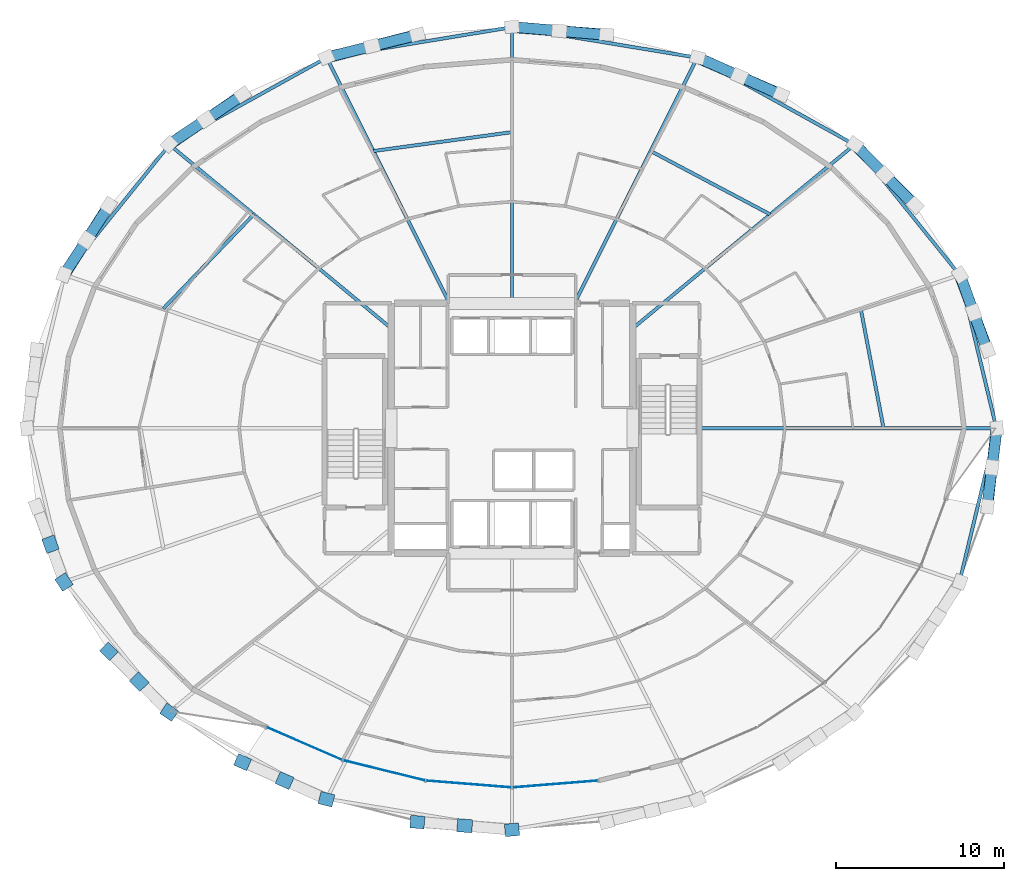
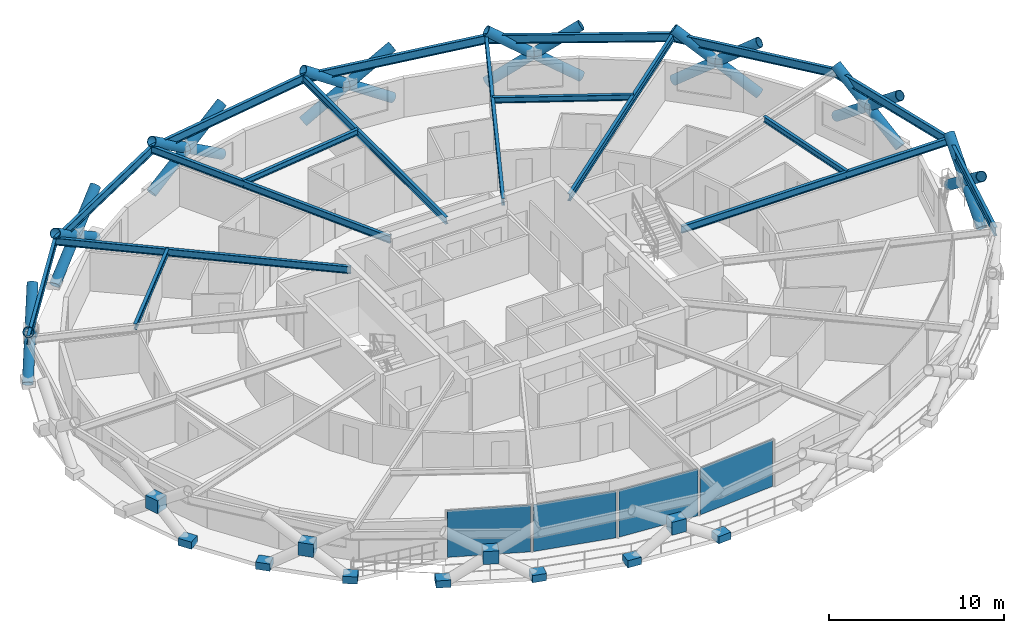
# One storey, part 12 of 21: 24 members, 18 beams, 15 plates, 1 element without a shape of its own.
"""IFC4 building model written with IfcOpenShell, lengths in metres."""

from ifc_helpers import new_model, si_unit, direction, frame, origin, origin_2d, place, context, subcontext, project, spatial, rectangle, hollow_circle, i_section, extrude, material, layer, layer_set, material_profile, profile_set, type_object, element, aggregate, save


model = new_model("IFC4")

# Units and contexts
model_context = context("Model", 3, precision=1e-05, world=origin(), true_north=direction((0.0, 1.0)))
body_context = subcontext(model_context, "Body", "Model", "MODEL_VIEW")
ifc_project = project(units=[si_unit("LENGTHUNIT", "METRE"), si_unit("AREAUNIT", "SQUARE_METRE"), si_unit("VOLUMEUNIT", "CUBIC_METRE"), si_unit("PLANEANGLEUNIT", "RADIAN"), si_unit("MASSUNIT", "GRAM", prefix="KILO")], contexts=[model_context])

# Site, building, storey
site_placement = place(None, origin())
site = spatial("IfcSite", under=ifc_project, at=site_placement, CompositionType="ELEMENT")
building_placement = place(site_placement, origin())
building = spatial("IfcBuilding", under=site, at=building_placement, Name="Veldorina Hangang Commons", CompositionType="ELEMENT")
storey_placement = place(building_placement, frame((0.0, 0.0, 91.60009765625)))
storey = spatial("IfcBuildingStorey", under=building, at=storey_placement, Name="L23", CompositionType="ELEMENT", Elevation=91.60009765625)

# Beams
ifc_material_1 = material(Name="Steel SM420-TMC", Category="steel")
ifc_material_profile_1 = material_profile(ifc_material_1, i_section(OverallWidth=0.199951171875, OverallDepth=0.5, WebThickness=0.010009765625, FlangeThickness=0.01611328125, FilletRadius=0.01611328125, at=origin_2d()), Name="H-500x200x10x16")
ifc_profile_set_1 = profile_set([ifc_material_profile_1], Name="Steel SM420-TMC")
beam_type_1 = type_object("IfcBeamType", Name="BM-FG500", PredefinedType="BEAM", material=ifc_profile_set_1)
beam_1_placement = place(storey_placement, frame((43.179931640625, 24.0, 3.08984375), z_axis=(1.0, 0.0, 0.0), x_axis=(0.0, 1.0, 0.0)))
element("IfcBeam", 1, at=beam_1_placement, inside=storey, type_object=beam_type_1, Name="L23 radial floor girder 01", PredefinedType="BEAM", context=body_context, shape_type="SweptSolid", body=[
    extrude(i_section(OverallWidth=0.199951171875, OverallDepth=0.5, WebThickness=0.010009765625, FlangeThickness=0.01611328125, FilletRadius=0.01611328125, at=origin_2d()), origin(), (0.0, 0.0, 1.0), 17.714111328125),
])
beam_2_placement = place(storey_placement, frame((39.199951171875, 29.9619140625, 3.08984375), z_axis=(0.77021881672, 0.637779722451, 0.0), x_axis=(-0.637779722451, 0.77021881672, 0.0)))
element("IfcBeam", 2, at=beam_2_placement, inside=storey, type_object=beam_type_1, Name="L23 radial floor girder 03", PredefinedType="BEAM", context=body_context, shape_type="SweptSolid", body=[
    extrude(i_section(OverallWidth=0.199951171875, OverallDepth=0.5, WebThickness=0.010009765625, FlangeThickness=0.01611328125, FilletRadius=0.01611328125, at=origin_2d()), origin(), (0.0, 0.0, 1.0), 17.1787109375),
])
beam_3_placement = place(storey_placement, frame((35.726806640625, 31.449951171875, 3.08984375), z_axis=(0.447368542257, 0.894349700843, 0.0), x_axis=(-0.894349700843, 0.447368542257, 0.0)))
element("IfcBeam", 3, at=beam_3_placement, inside=storey, type_object=beam_type_1, Name="L23 radial floor girder 04", PredefinedType="BEAM", context=body_context, shape_type="SweptSolid", body=[
    extrude(i_section(OverallWidth=0.199951171875, OverallDepth=0.5, WebThickness=0.010009765625, FlangeThickness=0.01611328125, FilletRadius=0.01611328125, at=origin_2d()), origin(), (0.0, 0.0, 1.0), 16.385986328125),
])
beam_4_placement = place(storey_placement, frame((32.0, 31.449951171875, 3.08984375), z_axis=(0.0, 1.0, 0.0), x_axis=(-1.0, 0.0, 0.0)))
element("IfcBeam", 4, at=beam_4_placement, inside=storey, type_object=beam_type_1, Name="L23 radial floor girder 05", PredefinedType="BEAM", context=body_context, shape_type="SweptSolid", body=[
    extrude(i_section(OverallWidth=0.199951171875, OverallDepth=0.5, WebThickness=0.010009765625, FlangeThickness=0.01611328125, FilletRadius=0.01611328125, at=origin_2d()), origin(), (0.0, 0.0, 1.0), 16.475830078125),
])
beam_5_placement = place(storey_placement, frame((28.273193359375, 31.449951171875, 3.08984375), z_axis=(-0.447368542257, 0.894349700843, 0.0), x_axis=(-0.894349700843, -0.447368542257, 0.0)))
element("IfcBeam", 5, at=beam_5_placement, inside=storey, type_object=beam_type_1, Name="L23 radial floor girder 06", PredefinedType="BEAM", context=body_context, shape_type="SweptSolid", body=[
    extrude(i_section(OverallWidth=0.199951171875, OverallDepth=0.5, WebThickness=0.010009765625, FlangeThickness=0.01611328125, FilletRadius=0.01611328125, at=origin_2d()), origin(), (0.0, 0.0, 1.0), 16.385986328125),
])
beam_6_placement = place(storey_placement, frame((24.800048828125, 29.9619140625, 3.08984375), z_axis=(-0.77021881672, 0.637779722451, 0.0), x_axis=(-0.637779722451, -0.77021881672, 0.0)))
element("IfcBeam", 6, at=beam_6_placement, inside=storey, type_object=beam_type_1, Name="L23 radial floor girder 07", PredefinedType="BEAM", context=body_context, shape_type="SweptSolid", body=[
    extrude(i_section(OverallWidth=0.199951171875, OverallDepth=0.5, WebThickness=0.010009765625, FlangeThickness=0.01611328125, FilletRadius=0.01611328125, at=origin_2d()), origin(), (0.0, 0.0, 1.0), 17.1787109375),
])
ifc_material_2 = material(Name="Steel SM355-TMC", Category="steel")
ifc_material_profile_2 = material_profile(ifc_material_2, i_section(OverallWidth=0.199951171875, OverallDepth=0.39990234375, WebThickness=0.008056640625, FlangeThickness=0.012939453125, FilletRadius=0.012939453125, at=origin_2d()), Name="H-400x200x8x13")
ifc_profile_set_2 = profile_set([ifc_material_profile_2], Name="Steel SM355-TMC")
beam_type_2 = type_object("IfcBeamType", Name="BM-JST400", PredefinedType="JOIST", material=ifc_profile_set_2)
beam_7_placement = place(storey_placement, frame((54.16259765625, 24.0, 3.139892578125), z_axis=(-0.187731456632, 0.982220392881, 0.0), x_axis=(-0.982220392881, -0.187731456632, 0.0)))
element("IfcBeam", 7, at=beam_7_placement, inside=storey, type_object=beam_type_2, Name="L23 secondary floor joist 01", PredefinedType="JOIST", context=body_context, shape_type="SweptSolid", body=[
    extrude(i_section(OverallWidth=0.199951171875, OverallDepth=0.39990234375, WebThickness=0.008056640625, FlangeThickness=0.012939453125, FilletRadius=0.012939453125, at=origin_2d()), origin(), (0.0, 0.0, 1.0), 7.26318359375),
])
beam_8_placement = place(storey_placement, frame((47.4033203125, 36.7548828125, 3.139892578125), z_axis=(-0.883508189888, 0.468415711095, 0.0), x_axis=(-0.468415711095, -0.883508189888, 0.0)))
element("IfcBeam", 8, at=beam_8_placement, inside=storey, type_object=beam_type_2, Name="L23 secondary floor joist 03", PredefinedType="JOIST", context=body_context, shape_type="SweptSolid", body=[
    extrude(i_section(OverallWidth=0.199951171875, OverallDepth=0.39990234375, WebThickness=0.008056640625, FlangeThickness=0.012939453125, FilletRadius=0.012939453125, at=origin_2d()), origin(), (0.0, 0.0, 1.0), 8.072021484375),
])
beam_9_placement = place(storey_placement, frame((32.0, 41.6650390625, 3.139892578125), z_axis=(-0.990811117073, -0.13525283836, 0.0), x_axis=(0.13525283836, -0.990811117073, 0.0)))
element("IfcBeam", 9, at=beam_9_placement, inside=storey, type_object=beam_type_2, Name="L23 secondary floor joist 05", PredefinedType="JOIST", context=body_context, shape_type="SweptSolid", body=[
    extrude(i_section(OverallWidth=0.199951171875, OverallDepth=0.39990234375, WebThickness=0.008056640625, FlangeThickness=0.012939453125, FilletRadius=0.012939453125, at=origin_2d()), origin(), (0.0, 0.0, 1.0), 8.348388671875),
])
beam_10_placement = place(storey_placement, frame((16.5966796875, 36.7548828125, 3.139892578125), z_axis=(-0.692514217246, -0.721404227124, 0.0), x_axis=(0.721404227124, -0.692514217246, 0.0)))
element("IfcBeam", 10, at=beam_10_placement, inside=storey, type_object=beam_type_2, Name="L23 secondary floor joist 07", PredefinedType="JOIST", context=body_context, shape_type="SweptSolid", body=[
    extrude(i_section(OverallWidth=0.199951171875, OverallDepth=0.39990234375, WebThickness=0.008056640625, FlangeThickness=0.012939453125, FilletRadius=0.012939453125, at=origin_2d()), origin(), (0.0, 0.0, 1.0), 7.79150390625),
])
ifc_material_profile_3 = material_profile(ifc_material_1, i_section(OverallWidth=0.199951171875, OverallDepth=0.60009765625, WebThickness=0.010986328125, FlangeThickness=0.01708984375, FilletRadius=0.01806640625, at=origin_2d()), Name="H-600x200x11x17")
ifc_profile_set_3 = profile_set([ifc_material_profile_3], Name="Steel SM420-TMC")
beam_type_3 = type_object("IfcBeamType", Name="BM-RB600", PredefinedType="BEAM", material=ifc_profile_set_3)
beam_11_placement = place(storey_placement, frame((60.89404296875, 24.0, 3.039794921875), z_axis=(-0.233575930731, 0.972338564793, 0.0), x_axis=(-0.972338564793, -0.233575930731, 0.0)))
element("IfcBeam", 11, at=beam_11_placement, inside=storey, type_object=beam_type_3, Name="L23 perimeter hoop ring beam 00", PredefinedType="BEAM", context=body_context, shape_type="SweptSolid", body=[
    extrude(i_section(OverallWidth=0.199951171875, OverallDepth=0.60009765625, WebThickness=0.010986328125, FlangeThickness=0.01708984375, FilletRadius=0.01806640625, at=origin_2d()), origin(), (0.0, 0.0, 1.0), 9.41650390625),
])
beam_12_placement = place(storey_placement, frame((58.694580078125, 33.156005859375, 3.039794921875), z_axis=(-0.62795529061, 0.778249415673, 0.0), x_axis=(-0.778249415673, -0.62795529061, 0.0)))
element("IfcBeam", 12, at=beam_12_placement, inside=storey, type_object=beam_type_3, Name="L23 perimeter hoop ring beam 02", PredefinedType="BEAM", context=body_context, shape_type="SweptSolid", body=[
    extrude(i_section(OverallWidth=0.199951171875, OverallDepth=0.60009765625, WebThickness=0.010986328125, FlangeThickness=0.01708984375, FilletRadius=0.01806640625, at=origin_2d()), origin(), (0.0, 0.0, 1.0), 9.973876953125),
])
beam_13_placement = place(storey_placement, frame((52.431396484375, 40.918212890625, 3.039794921875), z_axis=(-0.874998715475, 0.484125239909, 0.0), x_axis=(-0.484125239909, -0.874998715475, 0.0)))
element("IfcBeam", 13, at=beam_13_placement, inside=storey, type_object=beam_type_3, Name="L23 perimeter hoop ring beam 04", PredefinedType="BEAM", context=body_context, shape_type="SweptSolid", body=[
    extrude(i_section(OverallWidth=0.199951171875, OverallDepth=0.60009765625, WebThickness=0.010986328125, FlangeThickness=0.01708984375, FilletRadius=0.01806640625, at=origin_2d()), origin(), (0.0, 0.0, 1.0), 10.713134765625),
])
for number, where, z_axis, x_axis, name in (
    (14, (43.057373046875, 46.104736328125, 3.039794921875), (-0.986708290372, 0.162501537566, 0.0), (-0.162501537566, -0.986708290372, 0.0), "L23 perimeter hoop ring beam 06"),
    (15, (32.0, 47.92578125, 3.039794921875), (-0.986708290372, -0.162501537566, 0.0), (0.162501537566, -0.986708290372, 0.0), "L23 perimeter hoop ring beam 08"),
):
    element("IfcBeam", number, at=place(storey_placement, frame(where, z_axis=z_axis, x_axis=x_axis)), inside=storey, type_object=beam_type_3, Name=name, PredefinedType="BEAM", context=body_context, shape_type="SweptSolid", body=[
        extrude(i_section(OverallWidth=0.199951171875, OverallDepth=0.60009765625, WebThickness=0.010986328125, FlangeThickness=0.01708984375, FilletRadius=0.01806640625, at=origin_2d()), origin(), (0.0, 0.0, 1.0), 11.206298828125),
    ])
beam_14_placement = place(storey_placement, frame((20.942626953125, 46.104736328125, 3.039794921875), z_axis=(-0.874998715475, -0.484125239909, 0.0), x_axis=(0.484125239909, -0.874998715475, 0.0)))
element("IfcBeam", 16, at=beam_14_placement, inside=storey, type_object=beam_type_3, Name="L23 perimeter hoop ring beam 10", PredefinedType="BEAM", context=body_context, shape_type="SweptSolid", body=[
    extrude(i_section(OverallWidth=0.199951171875, OverallDepth=0.60009765625, WebThickness=0.010986328125, FlangeThickness=0.01708984375, FilletRadius=0.01806640625, at=origin_2d()), origin(), (0.0, 0.0, 1.0), 10.713134765625),
])
beam_15_placement = place(storey_placement, frame((11.568603515625, 40.918212890625, 3.039794921875), z_axis=(-0.62795529061, -0.778249415673, 0.0), x_axis=(0.778249415673, -0.62795529061, 0.0)))
element("IfcBeam", 17, at=beam_15_placement, inside=storey, type_object=beam_type_3, Name="L23 perimeter hoop ring beam 12", PredefinedType="BEAM", context=body_context, shape_type="SweptSolid", body=[
    extrude(i_section(OverallWidth=0.199951171875, OverallDepth=0.60009765625, WebThickness=0.010986328125, FlangeThickness=0.01708984375, FilletRadius=0.01806640625, at=origin_2d()), origin(), (0.0, 0.0, 1.0), 9.973876953125),
])
beam_16_placement = place(storey_placement, frame((58.694580078125, 14.843994140625, 3.039794921875), z_axis=(0.233575930731, 0.972338564793, 0.0), x_axis=(-0.972338564793, 0.233575930731, 0.0)))
element("IfcBeam", 18, at=beam_16_placement, inside=storey, type_object=beam_type_3, Name="L23 perimeter hoop ring beam 30", PredefinedType="BEAM", context=body_context, shape_type="SweptSolid", body=[
    extrude(i_section(OverallWidth=0.199951171875, OverallDepth=0.60009765625, WebThickness=0.010986328125, FlangeThickness=0.01708984375, FilletRadius=0.01806640625, at=origin_2d()), origin(), (0.0, 0.0, 1.0), 9.41650390625),
])

# Members
ifc_material_3 = material(Name="Steel SM460-TMC", Category="steel")
ifc_material_profile_4 = material_profile(ifc_material_3, hollow_circle(Radius=0.324951171875, WallThickness=0.031982421875, at=origin_2d()), Name="CHS-650x32")
ifc_profile_set_4 = profile_set([ifc_material_profile_4], Name="Steel SM460-TMC")
member_type = type_object("IfcMemberType", Name="DG-CHS650", PredefinedType="BRACE", material=ifc_profile_set_4)
member_1_placement = place(storey_placement, frame((60.36572265625, 28.67138671875, 0.0), z_axis=(-0.279810137925, 0.748606260614, 0.601078159048), x_axis=(-0.936705954403, -0.350117058975, 0.0)))
element("IfcMember", 19, at=member_1_placement, inside=storey, type_object=member_type, Name="L23 continuous perimeter diagrid brace 01", PredefinedType="BRACE", context=body_context, shape_type="SweptSolid", body=[
    extrude(hollow_circle(Radius=0.324951171875, WallThickness=0.031982421875, at=origin_2d()), origin(), (0.0, 0.0, 1.0), 5.989013671875),
])
member_2_placement = place(storey_placement, frame((58.719970703125, 33.163330078125, 0.0), z_axis=(0.269892380141, -0.751668228004, 0.601791473977), x_axis=(0.941169679362, 0.337934364412, 0.0)))
element("IfcMember", 20, at=member_2_placement, inside=storey, type_object=member_type, Name="L23 split perimeter diagrid lower brace 02", PredefinedType="BRACE", context=body_context, shape_type="SweptSolid", body=[
    extrude(hollow_circle(Radius=0.324951171875, WallThickness=0.031982421875, at=origin_2d()), origin(), (0.0, 0.0, 1.0), 2.992431640625),
])
member_3_placement = place(storey_placement, frame((59.527587890625, 30.9140625, 1.80078125), z_axis=(0.269755740994, -0.751689930398, 0.601825629846), x_axis=(0.941227185628, 0.337774162769, 0.0)))
element("IfcMember", 21, at=member_3_placement, inside=storey, type_object=member_type, Name="L23 split perimeter diagrid upper brace 02", PredefinedType="BRACE", context=body_context, shape_type="SweptSolid", body=[
    extrude(hollow_circle(Radius=0.324951171875, WallThickness=0.031982421875, at=origin_2d()), origin(), (0.0, 0.0, 1.0), 2.9892578125),
])
member_4_placement = place(storey_placement, frame((56.04736328125, 37.302978515625, 0.0), z_axis=(-0.578767135763, 0.577674091125, 0.575605113775), x_axis=(-0.70643812274, -0.70777480793, 0.0)))
element("IfcMember", 22, at=member_4_placement, inside=storey, type_object=member_type, Name="L23 continuous perimeter diagrid brace 03", PredefinedType="BRACE", context=body_context, shape_type="SweptSolid", body=[
    extrude(hollow_circle(Radius=0.324951171875, WallThickness=0.031982421875, at=origin_2d()), origin(), (0.0, 0.0, 1.0), 6.254150390625),
])
member_5_placement = place(storey_placement, frame((52.45068359375, 40.931640625, 0.0), z_axis=(0.57196248852, -0.583300090822, 0.576732100523), x_axis=(0.714011855423, 0.700133608903, 0.0)))
element("IfcMember", 23, at=member_5_placement, inside=storey, type_object=member_type, Name="L23 split perimeter diagrid lower brace 04", PredefinedType="BRACE", context=body_context, shape_type="SweptSolid", body=[
    extrude(hollow_circle(Radius=0.324951171875, WallThickness=0.031982421875, at=origin_2d()), origin(), (0.0, 0.0, 1.0), 3.122314453125),
])
member_6_placement = place(storey_placement, frame((54.236572265625, 39.1103515625, 1.80078125), z_axis=(0.571878582427, -0.583383461532, 0.576730980417), x_axis=(0.714113217446, 0.700030222683, 0.0)))
element("IfcMember", 24, at=member_6_placement, inside=storey, type_object=member_type, Name="L23 split perimeter diagrid upper brace 04", PredefinedType="BRACE", context=body_context, shape_type="SweptSolid", body=[
    extrude(hollow_circle(Radius=0.324951171875, WallThickness=0.031982421875, at=origin_2d()), origin(), (0.0, 0.0, 1.0), 3.119384765625),
])
member_7_placement = place(storey_placement, frame((48.06787109375, 43.909423828125, 0.0), z_axis=(-0.76538895083, 0.334696897401, 0.549688767229), x_axis=(-0.400657294258, -0.916227991582, 0.0)))
element("IfcMember", 25, at=member_7_placement, inside=storey, type_object=member_type, Name="L23 continuous perimeter diagrid brace 05", PredefinedType="BRACE", context=body_context, shape_type="SweptSolid", body=[
    extrude(hollow_circle(Radius=0.324951171875, WallThickness=0.031982421875, at=origin_2d()), origin(), (0.0, 0.0, 1.0), 6.548828125),
])
member_8_placement = place(storey_placement, frame((43.06787109375, 46.122314453125, 0.0), z_axis=(0.761924568617, -0.34122040628, 0.550490314244), x_axis=(0.408724752862, 0.912657699468, 0.0)))
element("IfcMember", 26, at=member_8_placement, inside=storey, type_object=member_type, Name="L23 split perimeter diagrid lower brace 06", PredefinedType="BRACE", context=body_context, shape_type="SweptSolid", body=[
    extrude(hollow_circle(Radius=0.324951171875, WallThickness=0.031982421875, at=origin_2d()), origin(), (0.0, 0.0, 1.0), 3.271240234375),
])
member_9_placement = place(storey_placement, frame((45.560302734375, 45.006103515625, 1.80078125), z_axis=(0.761826112562, -0.341353683269, 0.550543946599), x_axis=(0.408901719102, 0.912578426282, 0.0)))
element("IfcMember", 27, at=member_9_placement, inside=storey, type_object=member_type, Name="L23 split perimeter diagrid upper brace 06", PredefinedType="BRACE", context=body_context, shape_type="SweptSolid", body=[
    extrude(hollow_circle(Radius=0.324951171875, WallThickness=0.031982421875, at=origin_2d()), origin(), (0.0, 0.0, 1.0), 3.267822265625),
])
member_10_placement = place(storey_placement, frame((37.642333984375, 47.48486328125, 0.0), z_axis=(-0.841237700277, 0.065228590667, 0.536716277555), x_axis=(-0.077306787907, -0.997007352302, 0.0)))
element("IfcMember", 28, at=member_10_placement, inside=storey, type_object=member_type, Name="L23 continuous perimeter diagrid brace 07", PredefinedType="BRACE", context=body_context, shape_type="SweptSolid", body=[
    extrude(hollow_circle(Radius=0.324951171875, WallThickness=0.031982421875, at=origin_2d()), origin(), (0.0, 0.0, 1.0), 6.707275390625),
])
member_11_placement = place(storey_placement, frame((32.0, 47.945068359375, 0.0), z_axis=(0.840597971227, -0.071911922727, 0.536864718657), x_axis=(0.085237194543, 0.996360688037, 0.0)))
element("IfcMember", 29, at=member_11_placement, inside=storey, type_object=member_type, Name="L23 split perimeter diagrid lower brace 08", PredefinedType="BRACE", context=body_context, shape_type="SweptSolid", body=[
    extrude(hollow_circle(Radius=0.324951171875, WallThickness=0.031982421875, at=origin_2d()), origin(), (0.0, 0.0, 1.0), 3.354248046875),
])
member_12_placement = place(storey_placement, frame((34.819580078125, 47.703857421875, 1.80078125), z_axis=(0.840550231591, -0.071988872123, 0.536929148457), x_axis=(0.085332549898, 0.99635252593, 0.0)))
element("IfcMember", 30, at=member_12_placement, inside=storey, type_object=member_type, Name="L23 split perimeter diagrid upper brace 08", PredefinedType="BRACE", context=body_context, shape_type="SweptSolid", body=[
    extrude(hollow_circle(Radius=0.324951171875, WallThickness=0.031982421875, at=origin_2d()), origin(), (0.0, 0.0, 1.0), 3.3505859375),
])
member_13_placement = place(storey_placement, frame((26.357666015625, 47.48486328125, 0.0), z_axis=(-0.814438708095, -0.208164539003, 0.541624515193), x_axis=(0.247631993552, -0.96885416641, 0.0)))
element("IfcMember", 31, at=member_13_placement, inside=storey, type_object=member_type, Name="L23 continuous perimeter diagrid brace 09", PredefinedType="BRACE", context=body_context, shape_type="SweptSolid", body=[
    extrude(hollow_circle(Radius=0.324951171875, WallThickness=0.031982421875, at=origin_2d()), origin(), (0.0, 0.0, 1.0), 6.646484375),
])
member_14_placement = place(storey_placement, frame((20.93212890625, 46.122314453125, 0.0), z_axis=(0.816504683464, 0.201430407043, 0.541059971722), x_axis=(-0.239517522775, 0.970892041518, 0.0)))
element("IfcMember", 32, at=member_14_placement, inside=storey, type_object=member_type, Name="L23 split perimeter diagrid lower brace 10", PredefinedType="BRACE", context=body_context, shape_type="SweptSolid", body=[
    extrude(hollow_circle(Radius=0.324951171875, WallThickness=0.031982421875, at=origin_2d()), origin(), (0.0, 0.0, 1.0), 3.328125),
])
member_15_placement = place(storey_placement, frame((23.649658203125, 46.792724609375, 1.80078125), z_axis=(0.816437721911, 0.201502528236, 0.54113415837), x_axis=(-0.239616881387, 0.970867524513, 0.0)))
element("IfcMember", 33, at=member_15_placement, inside=storey, type_object=member_type, Name="L23 split perimeter diagrid upper brace 10", PredefinedType="BRACE", context=body_context, shape_type="SweptSolid", body=[
    extrude(hollow_circle(Radius=0.324951171875, WallThickness=0.031982421875, at=origin_2d()), origin(), (0.0, 0.0, 1.0), 3.32470703125),
])
member_16_placement = place(storey_placement, frame((15.93212890625, 43.909423828125, 0.0), z_axis=(-0.68148401311, -0.467933529441, 0.562687970283), x_axis=(0.566046772927, -0.824373125993, 0.0)))
element("IfcMember", 34, at=member_16_placement, inside=storey, type_object=member_type, Name="L23 continuous perimeter diagrid brace 11", PredefinedType="BRACE", context=body_context, shape_type="SweptSolid", body=[
    extrude(hollow_circle(Radius=0.324951171875, WallThickness=0.031982421875, at=origin_2d()), origin(), (0.0, 0.0, 1.0), 6.397705078125),
])
member_17_placement = place(storey_placement, frame((11.54931640625, 40.931640625, 0.0), z_axis=(0.686639347115, 0.461642754664, 0.561615859872), x_axis=(-0.557945143061, 0.829877832777, 0.0)))
element("IfcMember", 35, at=member_17_placement, inside=storey, type_object=member_type, Name="L23 split perimeter diagrid lower brace 12", PredefinedType="BRACE", context=body_context, shape_type="SweptSolid", body=[
    extrude(hollow_circle(Radius=0.324951171875, WallThickness=0.031982421875, at=origin_2d()), origin(), (0.0, 0.0, 1.0), 3.20654296875),
])
member_18_placement = place(storey_placement, frame((13.7509765625, 42.411865234375, 1.80078125), z_axis=(0.68658721261, 0.461662827129, 0.561663096106), x_axis=(-0.557991026976, 0.829846982169, 0.0)))
element("IfcMember", 36, at=member_18_placement, inside=storey, type_object=member_type, Name="L23 split perimeter diagrid upper brace 12", PredefinedType="BRACE", context=body_context, shape_type="SweptSolid", body=[
    extrude(hollow_circle(Radius=0.324951171875, WallThickness=0.031982421875, at=origin_2d()), origin(), (0.0, 0.0, 1.0), 3.203125),
])
member_19_placement = place(storey_placement, frame((7.95263671875, 37.302978515625, 0.0), z_axis=(-0.433561130593, -0.680583626193, 0.590618890484), x_axis=(0.843401810794, -0.53728333824, 0.0)))
element("IfcMember", 37, at=member_19_placement, inside=storey, type_object=member_type, Name="L23 continuous perimeter diagrid brace 13", PredefinedType="BRACE", context=body_context, shape_type="SweptSolid", body=[
    extrude(hollow_circle(Radius=0.324951171875, WallThickness=0.031982421875, at=origin_2d()), origin(), (0.0, 0.0, 1.0), 6.094970703125),
])
member_20_placement = place(storey_placement, frame((5.280029296875, 33.163330078125, 0.0), z_axis=(0.442188949022, 0.67591282591, 0.589585265363), x_axis=(-0.83683011579, 0.547462653802, 0.0)))
element("IfcMember", 38, at=member_20_placement, inside=storey, type_object=member_type, Name="L23 split perimeter diagrid lower brace 14", PredefinedType="BRACE", context=body_context, shape_type="SweptSolid", body=[
    extrude(hollow_circle(Radius=0.324951171875, WallThickness=0.031982421875, at=origin_2d()), origin(), (0.0, 0.0, 1.0), 3.05419921875),
])
member_21_placement = place(storey_placement, frame((6.630615234375, 35.227783203125, 1.80078125), z_axis=(0.44205179453, 0.675999205789, 0.589589081247), x_axis=(-0.836939946708, 0.547294733763, 0.0)))
element("IfcMember", 39, at=member_21_placement, inside=storey, type_object=member_type, Name="L23 split perimeter diagrid upper brace 14", PredefinedType="BRACE", context=body_context, shape_type="SweptSolid", body=[
    extrude(hollow_circle(Radius=0.324951171875, WallThickness=0.031982421875, at=origin_2d()), origin(), (0.0, 0.0, 1.0), 3.051513671875),
])
member_22_placement = place(storey_placement, frame((60.36572265625, 19.32861328125, 0.0), z_axis=(0.088407919974, 0.788991203728, 0.608010625011), x_axis=(-0.993780696523, 0.111354960455, 0.0)))
element("IfcMember", 40, at=member_22_placement, inside=storey, type_object=member_type, Name="L23 continuous perimeter diagrid brace 31", PredefinedType="BRACE", context=body_context, shape_type="SweptSolid", body=[
    extrude(hollow_circle(Radius=0.324951171875, WallThickness=0.031982421875, at=origin_2d()), origin(), (0.0, 0.0, 1.0), 5.920654296875),
])
member_23_placement = place(storey_placement, frame((60.92138671875, 24.0, 0.0), z_axis=(-0.099119479943, -0.787929831005, 0.607735065722), x_axis=(0.992180203736, -0.12481363433, 0.0)))
element("IfcMember", 41, at=member_23_placement, inside=storey, type_object=member_type, Name="L23 split perimeter diagrid lower brace 00", PredefinedType="BRACE", context=body_context, shape_type="SweptSolid", body=[
    extrude(hollow_circle(Radius=0.324951171875, WallThickness=0.031982421875, at=origin_2d()), origin(), (0.0, 0.0, 1.0), 2.963134765625),
])
member_24_placement = place(storey_placement, frame((60.627685546875, 21.665283203125, 1.80078125), z_axis=(-0.099218670024, -0.787893561713, 0.60776590142), x_axis=(0.992164015801, -0.124942249661, 0.0)))
element("IfcMember", 42, at=member_24_placement, inside=storey, type_object=member_type, Name="L23 split perimeter diagrid upper brace 00", PredefinedType="BRACE", context=body_context, shape_type="SweptSolid", body=[
    extrude(hollow_circle(Radius=0.324951171875, WallThickness=0.031982421875, at=origin_2d()), origin(), (0.0, 0.0, 1.0), 2.960205078125),
])

# Curtain wall, plates
ifc_material_4 = material(Name="Glass Low-E Triple IGU", Category="glass")
ifc_layer_1 = layer(ifc_material_4, 0.179931640625)
ifc_layer_set_1 = layer_set([ifc_layer_1], Name="Glass Low-E Triple IGU")
curtain_wall_type = type_object("IfcCurtainWallType", Name="CW-SYS-Z1", PredefinedType="NOTDEFINED", material=ifc_layer_set_1)
curtain_wall_placement = place(storey_placement, origin())
curtain_wall = element("IfcCurtainWall", 43, at=curtain_wall_placement, inside=storey, type_object=curtain_wall_type, Name="L23 unitised curtain wall CW-L23-R1", PredefinedType="NOTDEFINED")
ifc_layer_2 = layer(ifc_material_4, 0.0400390625)
ifc_layer_set_2 = layer_set([ifc_layer_2], Name="Glass Low-E Triple IGU")
plate_type_1 = type_object("IfcPlateType", Name="CW-PNL-VIS", PredefinedType="CURTAIN_PANEL", material=ifc_layer_set_2)
plate_1_placement = place(storey_placement, frame((19.614501953125, 5.19580078125, 0.014892578125), z_axis=(0.0, 0.0, 1.0), x_axis=(0.917414644732, -0.397932619462, 0.0)))
plate_1 = element("IfcPlate", 44, at=plate_1_placement, type_object=plate_type_1, Name="CW-L23-R1 facet 1 glazed vision panel", PredefinedType="CURTAIN_PANEL", context=body_context, shape_type="SweptSolid", body=[
    extrude(rectangle(XDim=4.79541015625, YDim=0.0400390625, at=origin_2d()), origin(), (0.0, 0.0, 1.0), 3.27001953125),
])
plate_2_placement = place(storey_placement, frame((24.372802734375, 3.59619140625, 0.014892578125), z_axis=(0.0, 0.0, 1.0), x_axis=(0.971013422889, -0.239024962233, 0.0)))
plate_2 = element("IfcPlate", 45, at=plate_2_placement, type_object=plate_type_1, Name="CW-L23-R1 facet 2 glazed vision panel", PredefinedType="CURTAIN_PANEL", context=body_context, shape_type="SweptSolid", body=[
    extrude(rectangle(XDim=4.920654296875, YDim=0.0400390625, at=origin_2d()), origin(), (0.0, 0.0, 1.0), 3.27001953125),
])
plate_3_placement = place(storey_placement, frame((29.424560546875, 2.781005859375, 0.014892578125), z_axis=(0.0, 0.0, 1.0), x_axis=(0.996820733877, -0.079677001159, 0.0)))
plate_3 = element("IfcPlate", 46, at=plate_3_placement, type_object=plate_type_1, Name="CW-L23-R1 facet 3 glazed vision panel", PredefinedType="CURTAIN_PANEL", context=body_context, shape_type="SweptSolid", body=[
    extrude(rectangle(XDim=4.987060546875, YDim=0.0400390625, at=origin_2d()), origin(), (0.0, 0.0, 1.0), 3.27001953125),
])
plate_4_placement = place(storey_placement, frame((34.575439453125, 2.781005859375, 0.014892578125), z_axis=(0.0, 0.0, 1.0), x_axis=(0.996820733877, 0.079677001159, 0.0)))
plate_4 = element("IfcPlate", 47, at=plate_4_placement, type_object=plate_type_1, Name="CW-L23-R1 facet 4 glazed vision panel", PredefinedType="CURTAIN_PANEL", context=body_context, shape_type="SweptSolid", body=[
    extrude(rectangle(XDim=4.987060546875, YDim=0.0400390625, at=origin_2d()), origin(), (0.0, 0.0, 1.0), 3.27001953125),
])
aggregate(curtain_wall, [plate_1, plate_2, plate_3, plate_4])

# Plates
ifc_layer_3 = layer(ifc_material_3, 0.035888671875)
ifc_layer_set_3 = layer_set([ifc_layer_3], Name="Steel SM460-TMC")
plate_type_2 = type_object("IfcPlateType", Name="PL-STAR-36", PredefinedType="USERDEFINED", material=ifc_layer_set_3)
plate_5_placement = place(storey_placement, frame((4.472412109375, 17.0859375, 1.350830078125), z_axis=(0.0, 0.0, 1.0), x_axis=(0.34402025555, -0.93896222702, 0.0)))
element("IfcPlate", 48, at=plate_5_placement, inside=storey, type_object=plate_type_2, Name="L23 diagrid X-crossing star-node gusset plate 17", ObjectType="GUSSET PLATE", PredefinedType="USERDEFINED", context=body_context, shape_type="SweptSolid", body=[
    extrude(rectangle(XDim=0.89990234375, YDim=0.780029296875, at=origin_2d()), origin(), (0.0, 0.0, 1.0), 0.89990234375),
])
for number, where, z_axis, x_axis, name in (
    (49, (5.280029296875, 14.836669921875, -0.090087890625), (0.0, 0.0, 1.0), (0.542397548724, -0.84012195492, 0.0), "L23 diagrid star-node gusset plate 18"),
    (50, (7.95263671875, 10.697021484375, -0.090087890625), (0.0, 0.0, 1.0), (0.703977538272, -0.710222236775, 0.0), "L23 diagrid star-node gusset plate 19"),
):
    element("IfcPlate", number, at=place(storey_placement, frame(where, z_axis=z_axis, x_axis=x_axis)), inside=storey, type_object=plate_type_2, Name=name, ObjectType="GUSSET PLATE", PredefinedType="USERDEFINED", context=body_context, shape_type="SweptSolid", body=[
        extrude(rectangle(XDim=0.85009765625, YDim=0.75, at=origin_2d()), origin(), (0.0, 0.0, 1.0), 0.5),
    ])
plate_6_placement = place(storey_placement, frame((9.763427734375, 8.8896484375, 1.350830078125), z_axis=(0.0, 0.0, 1.0), x_axis=(0.703977538272, -0.710222236775, 0.0)))
element("IfcPlate", 51, at=plate_6_placement, inside=storey, type_object=plate_type_2, Name="L23 diagrid X-crossing star-node gusset plate 19", ObjectType="GUSSET PLATE", PredefinedType="USERDEFINED", context=body_context, shape_type="SweptSolid", body=[
    extrude(rectangle(XDim=0.89990234375, YDim=0.780029296875, at=origin_2d()), origin(), (0.0, 0.0, 1.0), 0.89990234375),
])
for number, where, z_axis, x_axis, name in (
    (52, (11.54931640625, 7.068359375, -0.090087890625), (0.0, 0.0, 1.0), (0.827139430973, -0.561996763095, 0.0), "L23 diagrid star-node gusset plate 20"),
    (53, (15.93212890625, 4.090576171875, -0.090087890625), (0.0, 0.0, 1.0), (0.914451835585, -0.404694749652, 0.0), "L23 diagrid star-node gusset plate 21"),
):
    element("IfcPlate", number, at=place(storey_placement, frame(where, z_axis=z_axis, x_axis=x_axis)), inside=storey, type_object=plate_type_2, Name=name, ObjectType="GUSSET PLATE", PredefinedType="USERDEFINED", context=body_context, shape_type="SweptSolid", body=[
        extrude(rectangle(XDim=0.85009765625, YDim=0.75, at=origin_2d()), origin(), (0.0, 0.0, 1.0), 0.5),
    ])
plate_7_placement = place(storey_placement, frame((18.439697265625, 2.993896484375, 1.350830078125), z_axis=(0.0, 0.0, 1.0), x_axis=(0.914451835585, -0.404694749652, 0.0)))
element("IfcPlate", 54, at=plate_7_placement, inside=storey, type_object=plate_type_2, Name="L23 diagrid X-crossing star-node gusset plate 21", ObjectType="GUSSET PLATE", PredefinedType="USERDEFINED", context=body_context, shape_type="SweptSolid", body=[
    extrude(rectangle(XDim=0.89990234375, YDim=0.780029296875, at=origin_2d()), origin(), (0.0, 0.0, 1.0), 0.89990234375),
])
for number, where, z_axis, x_axis, name in (
    (55, (20.93212890625, 1.877685546875, -0.090087890625), (0.0, 0.0, 1.0), (0.969880518462, -0.243581156718, 0.0), "L23 diagrid star-node gusset plate 22"),
    (56, (26.357666015625, 0.51513671875, -0.090087890625), (0.0, 0.0, 1.0), (0.996691511297, -0.081277495711, 0.0), "L23 diagrid star-node gusset plate 23"),
):
    element("IfcPlate", number, at=place(storey_placement, frame(where, z_axis=z_axis, x_axis=x_axis)), inside=storey, type_object=plate_type_2, Name=name, ObjectType="GUSSET PLATE", PredefinedType="USERDEFINED", context=body_context, shape_type="SweptSolid", body=[
        extrude(rectangle(XDim=0.85009765625, YDim=0.75, at=origin_2d()), origin(), (0.0, 0.0, 1.0), 0.5),
    ])
plate_8_placement = place(storey_placement, frame((29.180419921875, 0.296142578125, 1.350830078125), z_axis=(0.0, 0.0, 1.0), x_axis=(0.996691511297, -0.081277495711, 0.0)))
element("IfcPlate", 57, at=plate_8_placement, inside=storey, type_object=plate_type_2, Name="L23 diagrid X-crossing star-node gusset plate 23", ObjectType="GUSSET PLATE", PredefinedType="USERDEFINED", context=body_context, shape_type="SweptSolid", body=[
    extrude(rectangle(XDim=0.89990234375, YDim=0.780029296875, at=origin_2d()), origin(), (0.0, 0.0, 1.0), 0.89990234375),
])
plate_9_placement = place(storey_placement, frame((32.0, 0.054931640625, -0.090087890625), z_axis=(0.0, 0.0, 1.0), x_axis=(0.996691511297, 0.081277495711, 0.0)))
element("IfcPlate", 58, at=plate_9_placement, inside=storey, type_object=plate_type_2, Name="L23 diagrid star-node gusset plate 24", ObjectType="GUSSET PLATE", PredefinedType="USERDEFINED", context=body_context, shape_type="SweptSolid", body=[
    extrude(rectangle(XDim=0.85009765625, YDim=0.75, at=origin_2d()), origin(), (0.0, 0.0, 1.0), 0.5),
])

save(model, "model.ifc")
